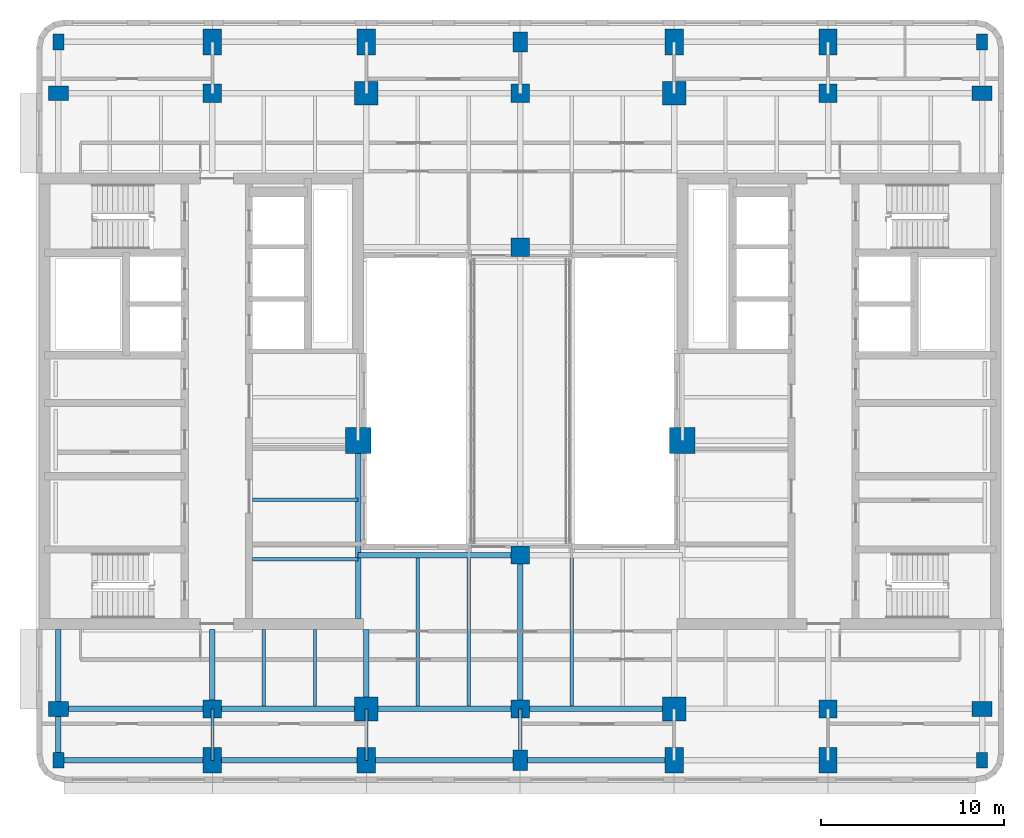
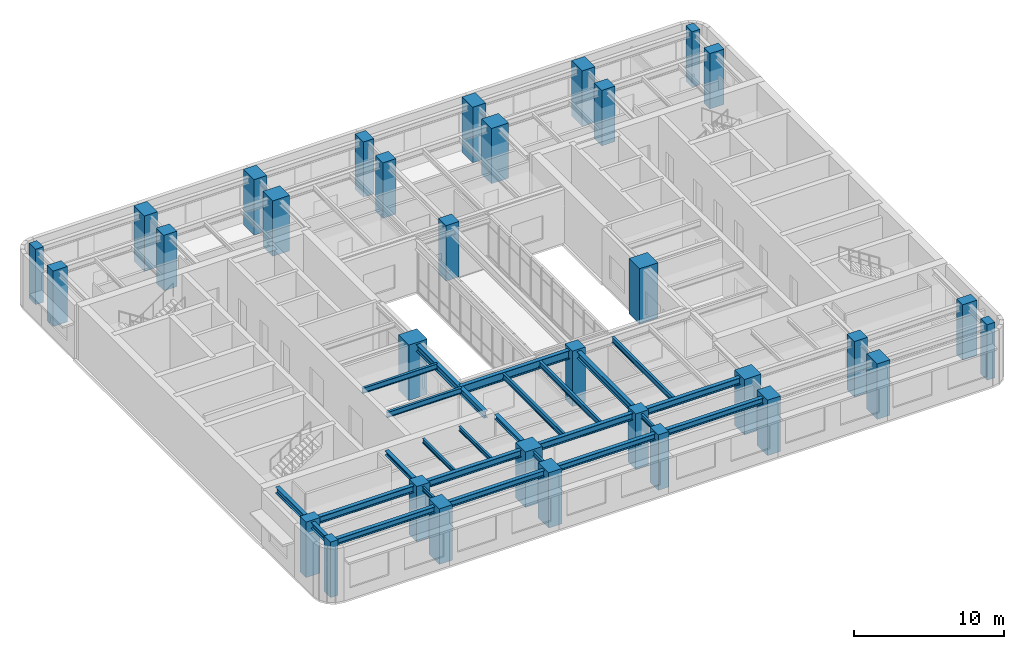
# One storey, part 1 of 14: 32 columns, 25 beams.
"""IFC4 building model written with IfcOpenShell, lengths in metres."""

from ifc_helpers import new_model, si_unit, direction, frame, origin, origin_2d, place, context, subcontext, project, spatial, rectangle, i_section, extrude, material, material_profile, profile_set, type_object, element, save


model = new_model("IFC4")

# Units and contexts
model_context = context("Model", 3, precision=1e-05, world=origin(), true_north=direction((0.0, 1.0)))
body_context = subcontext(model_context, "Body", "Model", "MODEL_VIEW")
ifc_project = project(units=[si_unit("LENGTHUNIT", "METRE"), si_unit("AREAUNIT", "SQUARE_METRE"), si_unit("VOLUMEUNIT", "CUBIC_METRE"), si_unit("PLANEANGLEUNIT", "RADIAN"), si_unit("MASSUNIT", "GRAM", prefix="KILO")], contexts=[model_context])

# Site, building, storey
site_placement = place(None, origin())
site = spatial("IfcSite", under=ifc_project, at=site_placement, CompositionType="ELEMENT")
building_placement = place(site_placement, origin())
building = spatial("IfcBuilding", under=site, at=building_placement, Name="Claustro Exchange Tower", CompositionType="ELEMENT")
storey_placement = place(building_placement, frame((0.0, 0.0, 250.199951171875)))
storey = spatial("IfcBuildingStorey", under=building, at=storey_placement, Name="L57", CompositionType="ELEMENT", Elevation=250.199951171875)

# Columns
ifc_material_1 = material(Name="Concrete HA-70 (C70/85)", Category="concrete")
ifc_material_profile_1 = material_profile(ifc_material_1, rectangle(XDim=1.39990234375, YDim=1.39990234375, at=origin_2d()), Name="RC 1400x1400")
ifc_profile_set_1 = profile_set([ifc_material_profile_1], Name="Concrete HA-70 (C70/85)")
column_type_1 = type_object("IfcColumnType", Name="C0 RC 1400x1400 HA-70 column", PredefinedType="COLUMN", material=ifc_profile_set_1)
for number, where, z_axis, x_axis, name in (
    (1, (16.35009765625, 23.050048828125, 0.0), (0.0, 0.0, 1.0), (1.0, 0.0, 0.0), "Column C0 2+7950/C+6250 L57"),
    (2, (34.050048828125, 23.050048828125, 0.0), (0.0, 0.0, 1.0), (1.0, 0.0, 0.0), "Column C0 5+450/C+6250 L57"),
):
    element("IfcColumn", number, at=place(storey_placement, frame(where, z_axis=z_axis, x_axis=x_axis)), inside=storey, type_object=column_type_1, Name=name, PredefinedType="COLUMN", context=body_context, shape_type="SweptSolid", body=[
        extrude(rectangle(XDim=1.39990234375, YDim=1.39990234375, at=origin_2d()), origin(), (0.0, 0.0, 1.0), 4.5),
    ])
ifc_material_2 = material(Name="Concrete HA-70 (C70/85)", Category="concrete")
ifc_material_profile_2 = material_profile(ifc_material_2, rectangle(XDim=1.0, YDim=1.0, at=origin_2d()), Name="RC 1000x1000")
ifc_profile_set_2 = profile_set([ifc_material_profile_2], Name="Concrete HA-70 (C70/85)")
column_type_2 = type_object("IfcColumnType", Name="C2 RC 1000x1000 HA-70 column", PredefinedType="COLUMN", material=ifc_profile_set_2)
for number, where, z_axis, x_axis, name in (
    (3, (8.39990234375, 8.39990234375, 0.0), (0.0, 0.0, 1.0), (1.0, 0.0, 0.0), "Column C2 2/B L57"),
    (4, (8.39990234375, 42.0, 0.0), (0.0, 0.0, 1.0), (1.0, 0.0, 0.0), "Column C2 2/F L57"),
    (5, (25.199951171875, 8.39990234375, 0.0), (0.0, 0.0, 1.0), (1.0, 0.0, 0.0), "Column C2 4/B L57"),
    (6, (25.199951171875, 42.0, 0.0), (0.0, 0.0, 1.0), (1.0, 0.0, 0.0), "Column C2 4/F L57"),
    (7, (25.199951171875, 16.800048828125, 0.0), (0.0, 0.0, 1.0), (1.0, 0.0, 0.0), "Column C2 4/C L57"),
    (8, (25.199951171875, 33.60009765625, 0.0), (0.0, 0.0, 1.0), (1.0, 0.0, 0.0), "Column C2 4/E L57"),
    (9, (42.0, 8.39990234375, 0.0), (0.0, 0.0, 1.0), (1.0, 0.0, 0.0), "Column C2 6/B L57"),
    (10, (42.0, 42.0, 0.0), (0.0, 0.0, 1.0), (1.0, 0.0, 0.0), "Column C2 6/F L57"),
):
    element("IfcColumn", number, at=place(storey_placement, frame(where, z_axis=z_axis, x_axis=x_axis)), inside=storey, type_object=column_type_2, Name=name, PredefinedType="COLUMN", context=body_context, shape_type="SweptSolid", body=[
        extrude(rectangle(XDim=1.0, YDim=1.0, at=origin_2d()), origin(), (0.0, 0.0, 1.0), 4.5),
    ])
ifc_material_3 = material(Name="Concrete HA-70 (C70/85)", Category="concrete")
ifc_material_profile_3 = material_profile(ifc_material_3, rectangle(XDim=1.0, YDim=1.39990234375, at=origin_2d()), Name="RC 1000x1400")
ifc_profile_set_3 = profile_set([ifc_material_profile_3], Name="Concrete HA-70 (C70/85)")
column_type_3 = type_object("IfcColumnType", Name="C22 RC 1000x1400 HA-70 perimeter column", PredefinedType="COLUMN", material=ifc_profile_set_3)
for number, where, z_axis, x_axis, name in (
    (11, (8.39990234375, 5.60009765625, 0.0), (0.0, 0.0, 1.0), (1.0, 0.0, 0.0), "Column C22 2/A+5600 L57"),
    (12, (8.39990234375, 44.800048828125, 0.0), (0.0, 0.0, 1.0), (1.0, 0.0, 0.0), "Column C22 2/F+2800 L57"),
    (13, (16.800048828125, 5.60009765625, 0.0), (0.0, 0.0, 1.0), (1.0, 0.0, 0.0), "Column C22 3/A+5600 L57"),
    (14, (16.800048828125, 44.800048828125, 0.0), (0.0, 0.0, 1.0), (1.0, 0.0, 0.0), "Column C22 3/F+2800 L57"),
    (15, (33.60009765625, 5.60009765625, 0.0), (0.0, 0.0, 1.0), (1.0, 0.0, 0.0), "Column C22 5/A+5600 L57"),
    (16, (33.60009765625, 44.800048828125, 0.0), (0.0, 0.0, 1.0), (1.0, 0.0, 0.0), "Column C22 5/F+2800 L57"),
    (17, (42.0, 5.60009765625, 0.0), (0.0, 0.0, 1.0), (1.0, 0.0, 0.0), "Column C22 6/A+5600 L57"),
    (18, (42.0, 44.800048828125, 0.0), (0.0, 0.0, 1.0), (1.0, 0.0, 0.0), "Column C22 6/F+2800 L57"),
):
    element("IfcColumn", number, at=place(storey_placement, frame(where, z_axis=z_axis, x_axis=x_axis)), inside=storey, type_object=column_type_3, Name=name, PredefinedType="COLUMN", context=body_context, shape_type="SweptSolid", body=[
        extrude(rectangle(XDim=1.0, YDim=1.39990234375, at=origin_2d()), origin(), (0.0, 0.0, 1.0), 4.5),
    ])
ifc_material_4 = material(Name="Concrete HA-50 (C50/60)", Category="concrete")
ifc_material_profile_4 = material_profile(ifc_material_4, rectangle(XDim=0.800048828125, YDim=1.10009765625, at=origin_2d()), Name="RC 800x1100")
ifc_profile_set_4 = profile_set([ifc_material_profile_4], Name="Concrete HA-50 (C50/60)")
column_type_4 = type_object("IfcColumnType", Name="C23 RC 800x1100 HA-50 perimeter column", PredefinedType="COLUMN", material=ifc_profile_set_4)
for number, where, z_axis, x_axis, name in (
    (19, (0.0, 8.39990234375, 0.0), (0.0, 0.0, 1.0), (0.0, 1.0, 0.0), "Column C23 1/B L57"),
    (20, (0.0, 42.0, 0.0), (0.0, 0.0, 1.0), (0.0, 1.0, 0.0), "Column C23 1/F L57"),
    (21, (25.199951171875, 5.60009765625, 0.0), (0.0, 0.0, 1.0), (1.0, 0.0, 0.0), "Column C23 4/A+5600 L57"),
    (22, (25.199951171875, 44.800048828125, 0.0), (0.0, 0.0, 1.0), (1.0, 0.0, 0.0), "Column C23 4/F+2800 L57"),
    (23, (50.39990234375, 8.39990234375, 0.0), (0.0, 0.0, 1.0), (0.0, 1.0, 0.0), "Column C23 7/B L57"),
    (24, (50.39990234375, 42.0, 0.0), (0.0, 0.0, 1.0), (0.0, 1.0, 0.0), "Column C23 7/F L57"),
):
    element("IfcColumn", number, at=place(storey_placement, frame(where, z_axis=z_axis, x_axis=x_axis)), inside=storey, type_object=column_type_4, Name=name, PredefinedType="COLUMN", context=body_context, shape_type="SweptSolid", body=[
        extrude(rectangle(XDim=0.800048828125, YDim=1.10009765625, at=origin_2d()), origin(), (0.0, 0.0, 1.0), 4.5),
    ])
ifc_material_5 = material(Name="Concrete HA-50 (C50/60)", Category="concrete")
ifc_material_profile_5 = material_profile(ifc_material_5, rectangle(XDim=0.60009765625, YDim=0.85009765625, at=origin_2d()), Name="RC 600x850")
ifc_profile_set_5 = profile_set([ifc_material_profile_5], Name="Concrete HA-50 (C50/60)")
column_type_5 = type_object("IfcColumnType", Name="C25 RC 600x850 HA-50 corner column", PredefinedType="COLUMN", material=ifc_profile_set_5)
for number, where, z_axis, x_axis, name in (
    (25, (0.0, 5.60009765625, 0.0), (0.0, 0.0, 1.0), (1.0, 0.0, 0.0), "Column C25 1/A+5600 L57"),
    (26, (0.0, 44.800048828125, 0.0), (0.0, 0.0, 1.0), (1.0, 0.0, 0.0), "Column C25 1/F+2800 L57"),
    (27, (50.39990234375, 5.60009765625, 0.0), (0.0, 0.0, 1.0), (1.0, 0.0, 0.0), "Column C25 7/A+5600 L57"),
    (28, (50.39990234375, 44.800048828125, 0.0), (0.0, 0.0, 1.0), (1.0, 0.0, 0.0), "Column C25 7/F+2800 L57"),
):
    element("IfcColumn", number, at=place(storey_placement, frame(where, z_axis=z_axis, x_axis=x_axis)), inside=storey, type_object=column_type_5, Name=name, PredefinedType="COLUMN", context=body_context, shape_type="SweptSolid", body=[
        extrude(rectangle(XDim=0.60009765625, YDim=0.85009765625, at=origin_2d()), origin(), (0.0, 0.0, 1.0), 4.5),
    ])
ifc_material_6 = material(Name="Concrete HA-70 (C70/85)", Category="concrete")
ifc_material_profile_6 = material_profile(ifc_material_6, rectangle(XDim=1.300048828125, YDim=1.300048828125, at=origin_2d()), Name="RC 1300x1300")
ifc_profile_set_6 = profile_set([ifc_material_profile_6], Name="Concrete HA-70 (C70/85)")
column_type_6 = type_object("IfcColumnType", Name="C42 RC 1300x1300 HA-70 column", PredefinedType="COLUMN", material=ifc_profile_set_6)
for number, where, z_axis, x_axis, name in (
    (29, (16.800048828125, 8.39990234375, 0.0), (0.0, 0.0, 1.0), (1.0, 0.0, 0.0), "Column C42 3/B L57"),
    (30, (16.800048828125, 42.0, 0.0), (0.0, 0.0, 1.0), (1.0, 0.0, 0.0), "Column C42 3/F L57"),
    (31, (33.60009765625, 8.39990234375, 0.0), (0.0, 0.0, 1.0), (1.0, 0.0, 0.0), "Column C42 5/B L57"),
    (32, (33.60009765625, 42.0, 0.0), (0.0, 0.0, 1.0), (1.0, 0.0, 0.0), "Column C42 5/F L57"),
):
    element("IfcColumn", number, at=place(storey_placement, frame(where, z_axis=z_axis, x_axis=x_axis)), inside=storey, type_object=column_type_6, Name=name, PredefinedType="COLUMN", context=body_context, shape_type="SweptSolid", body=[
        extrude(rectangle(XDim=1.300048828125, YDim=1.300048828125, at=origin_2d()), origin(), (0.0, 0.0, 1.0), 4.5),
    ])

# Beams
ifc_material_7 = material(Name="Steel S355", Category="steel")
ifc_material_profile_7 = material_profile(ifc_material_7, i_section(OverallWidth=0.300048828125, OverallDepth=0.68994140625, WebThickness=0.014404296875, FlangeThickness=0.027099609375, FilletRadius=0.027099609375, at=origin_2d()), Name="HE 700 A")
ifc_profile_set_7 = profile_set([ifc_material_profile_7], Name="Steel S355")
beam_type_1 = type_object("IfcBeamType", Name="B13 HE 700 A light well edge girder", PredefinedType="BEAM", material=ifc_profile_set_7)
beam_1_placement = place(storey_placement, frame((16.35009765625, 16.800048828125, 4.005126953125), z_axis=(1.0, 0.0, 0.0), x_axis=(0.0, 1.0, 0.0)))
element("IfcBeam", 33, at=beam_1_placement, inside=storey, type_object=beam_type_1, Name="Beam B13 L58", PredefinedType="BEAM", context=body_context, shape_type="SweptSolid", body=[
    extrude(i_section(OverallWidth=0.300048828125, OverallDepth=0.68994140625, WebThickness=0.014404296875, FlangeThickness=0.027099609375, FilletRadius=0.027099609375, at=origin_2d()), origin(), (0.0, 0.0, 1.0), 8.849853515625),
])
ifc_material_8 = material(Name="Steel S355", Category="steel")
ifc_material_profile_8 = material_profile(ifc_material_8, i_section(OverallWidth=0.169921875, OverallDepth=0.360107421875, WebThickness=0.008056640625, FlangeThickness=0.0126953125, FilletRadius=0.01806640625, at=origin_2d()), Name="IPE 360")
ifc_profile_set_8 = profile_set([ifc_material_profile_8], Name="Steel S355")
beam_type_2 = type_object("IfcBeamType", Name="B16 IPE 360 short-span beam", PredefinedType="BEAM", material=ifc_profile_set_8)
for number, where, z_axis, x_axis, name in (
    (34, (8.39990234375, 5.60009765625, 4.170166015625), (0.0, 1.0, 0.0), (-1.0, 0.0, 0.0), "Beam B16 L58"),
    (35, (16.800048828125, 5.60009765625, 4.170166015625), (0.0, 1.0, 0.0), (-1.0, 0.0, 0.0), "Beam B16 L58"),
    (36, (25.199951171875, 5.60009765625, 4.170166015625), (0.0, 1.0, 0.0), (-1.0, 0.0, 0.0), "Beam B16 L58"),
):
    element("IfcBeam", number, at=place(storey_placement, frame(where, z_axis=z_axis, x_axis=x_axis)), inside=storey, type_object=beam_type_2, Name=name, PredefinedType="BEAM", context=body_context, shape_type="SweptSolid", body=[
        extrude(i_section(OverallWidth=0.169921875, OverallDepth=0.360107421875, WebThickness=0.008056640625, FlangeThickness=0.0126953125, FilletRadius=0.01806640625, at=origin_2d()), origin(), (0.0, 0.0, 1.0), 2.7998046875),
    ])
for number, where, z_axis, x_axis, name in (
    (37, (11.199951171875, 8.550048828125, 4.170166015625), (0.0, 1.0, 0.0), (-1.0, 0.0, 0.0), "Beam B16 L58"),
    (38, (14.0, 8.550048828125, 4.170166015625), (0.0, 1.0, 0.0), (-1.0, 0.0, 0.0), "Beam B16 L58"),
):
    element("IfcBeam", number, at=place(storey_placement, frame(where, z_axis=z_axis, x_axis=x_axis)), inside=storey, type_object=beam_type_2, Name=name, PredefinedType="BEAM", context=body_context, shape_type="SweptSolid", body=[
        extrude(i_section(OverallWidth=0.169921875, OverallDepth=0.360107421875, WebThickness=0.008056640625, FlangeThickness=0.0126953125, FilletRadius=0.01806640625, at=origin_2d()), origin(), (0.0, 0.0, 1.0), 4.199951171875),
    ])
ifc_material_9 = material(Name="Steel S355", Category="steel")
ifc_material_profile_9 = material_profile(ifc_material_9, i_section(OverallWidth=0.300048828125, OverallDepth=0.550048828125, WebThickness=0.014892578125, FlangeThickness=0.029052734375, FilletRadius=0.027099609375, at=origin_2d()), Name="HE 550 B")
ifc_profile_set_9 = profile_set([ifc_material_profile_9], Name="Steel S355")
beam_type_3 = type_object("IfcBeamType", Name="B17 HE 550 B floor girder", PredefinedType="BEAM", material=ifc_profile_set_9)
beam_2_placement = place(storey_placement, frame((25.199951171875, 8.39990234375, 4.074951171875), z_axis=(0.0, 1.0, 0.0), x_axis=(-1.0, 0.0, 0.0)))
element("IfcBeam", 39, at=beam_2_placement, inside=storey, type_object=beam_type_3, Name="Beam B17 L58", PredefinedType="BEAM", context=body_context, shape_type="SweptSolid", body=[
    extrude(i_section(OverallWidth=0.300048828125, OverallDepth=0.550048828125, WebThickness=0.014892578125, FlangeThickness=0.029052734375, FilletRadius=0.027099609375, at=origin_2d()), origin(), (0.0, 0.0, 1.0), 8.400146484375),
])
beam_3_placement = place(storey_placement, frame((0.0, 8.39990234375, 4.074951171875), z_axis=(1.0, 0.0, 0.0), x_axis=(0.0, 1.0, 0.0)))
element("IfcBeam", 40, at=beam_3_placement, inside=storey, type_object=beam_type_3, Name="Beam B17 L58", PredefinedType="BEAM", context=body_context, shape_type="SweptSolid", body=[
    extrude(i_section(OverallWidth=0.300048828125, OverallDepth=0.550048828125, WebThickness=0.014892578125, FlangeThickness=0.029052734375, FilletRadius=0.027099609375, at=origin_2d()), origin(), (0.0, 0.0, 1.0), 8.39990234375),
])
beam_4_placement = place(storey_placement, frame((8.39990234375, 8.39990234375, 4.074951171875), z_axis=(1.0, 0.0, 0.0), x_axis=(0.0, 1.0, 0.0)))
element("IfcBeam", 41, at=beam_4_placement, inside=storey, type_object=beam_type_3, Name="Beam B17 L58", PredefinedType="BEAM", context=body_context, shape_type="SweptSolid", body=[
    extrude(i_section(OverallWidth=0.300048828125, OverallDepth=0.550048828125, WebThickness=0.014892578125, FlangeThickness=0.029052734375, FilletRadius=0.027099609375, at=origin_2d()), origin(), (0.0, 0.0, 1.0), 8.400146484375),
])
beam_5_placement = place(storey_placement, frame((16.800048828125, 8.39990234375, 4.074951171875), z_axis=(1.0, 0.0, 0.0), x_axis=(0.0, 1.0, 0.0)))
element("IfcBeam", 42, at=beam_5_placement, inside=storey, type_object=beam_type_3, Name="Beam B17 L58", PredefinedType="BEAM", context=body_context, shape_type="SweptSolid", body=[
    extrude(i_section(OverallWidth=0.300048828125, OverallDepth=0.550048828125, WebThickness=0.014892578125, FlangeThickness=0.029052734375, FilletRadius=0.027099609375, at=origin_2d()), origin(), (0.0, 0.0, 1.0), 8.39990234375),
])
beam_6_placement = place(storey_placement, frame((25.199951171875, 8.39990234375, 4.074951171875), z_axis=(1.0, 0.0, 0.0), x_axis=(0.0, 1.0, 0.0)))
element("IfcBeam", 43, at=beam_6_placement, inside=storey, type_object=beam_type_3, Name="Beam B17 L58", PredefinedType="BEAM", context=body_context, shape_type="SweptSolid", body=[
    extrude(i_section(OverallWidth=0.300048828125, OverallDepth=0.550048828125, WebThickness=0.014892578125, FlangeThickness=0.029052734375, FilletRadius=0.027099609375, at=origin_2d()), origin(), (0.0, 0.0, 1.0), 8.400146484375),
])
beam_7_placement = place(storey_placement, frame((16.35009765625, 13.35009765625, 4.074951171875), z_axis=(0.0, 1.0, 0.0), x_axis=(-1.0, 0.0, 0.0)))
element("IfcBeam", 44, at=beam_7_placement, inside=storey, type_object=beam_type_3, Name="Beam B17 core step framing L58", PredefinedType="BEAM", context=body_context, shape_type="SweptSolid", body=[
    extrude(i_section(OverallWidth=0.300048828125, OverallDepth=0.550048828125, WebThickness=0.014892578125, FlangeThickness=0.029052734375, FilletRadius=0.027099609375, at=origin_2d()), origin(), (0.0, 0.0, 1.0), 9.699951171875),
])
ifc_material_10 = material(Name="Steel S355", Category="steel")
ifc_material_profile_10 = material_profile(ifc_material_10, i_section(OverallWidth=0.300048828125, OverallDepth=0.360107421875, WebThickness=0.012451171875, FlangeThickness=0.0224609375, FilletRadius=0.027099609375, at=origin_2d()), Name="HE 360 B")
ifc_profile_set_10 = profile_set([ifc_material_profile_10], Name="Steel S355")
beam_type_4 = type_object("IfcBeamType", Name="B29 HE 360 B column to core link beam", PredefinedType="BEAM", material=ifc_profile_set_10)
for number, where, z_axis, x_axis, name in (
    (45, (8.39990234375, 8.39990234375, 4.170166015625), (0.0, 1.0, 0.0), (-1.0, 0.0, 0.0), "Beam B29 L58"),
    (46, (16.800048828125, 8.39990234375, 4.170166015625), (0.0, 1.0, 0.0), (-1.0, 0.0, 0.0), "Beam B29 L58"),
):
    element("IfcBeam", number, at=place(storey_placement, frame(where, z_axis=z_axis, x_axis=x_axis)), inside=storey, type_object=beam_type_4, Name=name, PredefinedType="BEAM", context=body_context, shape_type="SweptSolid", body=[
        extrude(i_section(OverallWidth=0.300048828125, OverallDepth=0.360107421875, WebThickness=0.012451171875, FlangeThickness=0.0224609375, FilletRadius=0.027099609375, at=origin_2d()), origin(), (0.0, 0.0, 1.0), 4.35009765625),
    ])
ifc_material_11 = material(Name="Steel S355", Category="steel")
ifc_material_profile_11 = material_profile(ifc_material_11, i_section(OverallWidth=0.18994140625, OverallDepth=0.449951171875, WebThickness=0.009521484375, FlangeThickness=0.0146484375, FilletRadius=0.02099609375, at=origin_2d()), Name="IPE 450")
ifc_profile_set_11 = profile_set([ifc_material_profile_11], Name="Steel S355")
beam_type_5 = type_object("IfcBeamType", Name="B8 IPE 450 secondary beam", PredefinedType="BEAM", material=ifc_profile_set_11)
for number, where, z_axis, x_axis, name in (
    (47, (19.60009765625, 8.550048828125, 4.125), (0.0, 1.0, 0.0), (-1.0, 0.0, 0.0), "Beam B8 L58"),
    (48, (22.39990234375, 8.550048828125, 4.125), (0.0, 1.0, 0.0), (-1.0, 0.0, 0.0), "Beam B8 L58"),
    (49, (28.0, 8.550048828125, 4.125), (0.0, 1.0, 0.0), (-1.0, 0.0, 0.0), "Beam B8 L58"),
):
    element("IfcBeam", number, at=place(storey_placement, frame(where, z_axis=z_axis, x_axis=x_axis)), inside=storey, type_object=beam_type_5, Name=name, PredefinedType="BEAM", context=body_context, shape_type="SweptSolid", body=[
        extrude(i_section(OverallWidth=0.18994140625, OverallDepth=0.449951171875, WebThickness=0.009521484375, FlangeThickness=0.0146484375, FilletRadius=0.02099609375, at=origin_2d()), origin(), (0.0, 0.0, 1.0), 8.099853515625),
    ])
for number, where, z_axis, x_axis, name in (
    (50, (10.60009765625, 16.583251953125, 4.125), (1.0, 0.0, 0.0), (0.0, 1.0, 0.0), "Beam B8 core step framing L58"),
    (51, (10.60009765625, 19.816650390625, 4.125), (1.0, 0.0, 0.0), (0.0, 1.0, 0.0), "Beam B8 core step framing L58"),
):
    element("IfcBeam", number, at=place(storey_placement, frame(where, z_axis=z_axis, x_axis=x_axis)), inside=storey, type_object=beam_type_5, Name=name, PredefinedType="BEAM", context=body_context, shape_type="SweptSolid", body=[
        extrude(i_section(OverallWidth=0.18994140625, OverallDepth=0.449951171875, WebThickness=0.009521484375, FlangeThickness=0.0146484375, FilletRadius=0.02099609375, at=origin_2d()), origin(), (0.0, 0.0, 1.0), 5.75),
    ])
ifc_material_12 = material(Name="Steel S355", Category="steel")
ifc_material_profile_12 = material_profile(ifc_material_12, i_section(OverallWidth=0.300048828125, OverallDepth=0.489990234375, WebThickness=0.011962890625, FlangeThickness=0.02294921875, FilletRadius=0.027099609375, at=origin_2d()), Name="HE 500 A")
ifc_profile_set_12 = profile_set([ifc_material_profile_12], Name="Steel S355")
beam_type_6 = type_object("IfcBeamType", Name="B9 HE 500 A spandrel edge girder", PredefinedType="SPANDREL", material=ifc_profile_set_12)
beam_8_placement = place(storey_placement, frame((0.0, 5.60009765625, 4.10498046875), z_axis=(0.0, 1.0, 0.0), x_axis=(-1.0, 0.0, 0.0)))
element("IfcBeam", 52, at=beam_8_placement, inside=storey, type_object=beam_type_6, Name="Beam B9 L58", PredefinedType="SPANDREL", context=body_context, shape_type="SweptSolid", body=[
    extrude(i_section(OverallWidth=0.300048828125, OverallDepth=0.489990234375, WebThickness=0.011962890625, FlangeThickness=0.02294921875, FilletRadius=0.027099609375, at=origin_2d()), origin(), (0.0, 0.0, 1.0), 2.7998046875),
])
beam_9_placement = place(storey_placement, frame((0.0, 8.39990234375, 4.10498046875), z_axis=(0.0, 1.0, 0.0), x_axis=(-1.0, 0.0, 0.0)))
element("IfcBeam", 53, at=beam_9_placement, inside=storey, type_object=beam_type_6, Name="Beam B9 L58", PredefinedType="SPANDREL", context=body_context, shape_type="SweptSolid", body=[
    extrude(i_section(OverallWidth=0.300048828125, OverallDepth=0.489990234375, WebThickness=0.011962890625, FlangeThickness=0.02294921875, FilletRadius=0.027099609375, at=origin_2d()), origin(), (0.0, 0.0, 1.0), 4.35009765625),
])
beam_10_placement = place(storey_placement, frame((0.0, 5.60009765625, 4.10498046875), z_axis=(1.0, 0.0, 0.0), x_axis=(0.0, 1.0, 0.0)))
element("IfcBeam", 54, at=beam_10_placement, inside=storey, type_object=beam_type_6, Name="Beam B9 L58", PredefinedType="SPANDREL", context=body_context, shape_type="SweptSolid", body=[
    extrude(i_section(OverallWidth=0.300048828125, OverallDepth=0.489990234375, WebThickness=0.011962890625, FlangeThickness=0.02294921875, FilletRadius=0.027099609375, at=origin_2d()), origin(), (0.0, 0.0, 1.0), 8.39990234375),
])
beam_11_placement = place(storey_placement, frame((8.39990234375, 5.60009765625, 4.10498046875), z_axis=(1.0, 0.0, 0.0), x_axis=(0.0, 1.0, 0.0)))
element("IfcBeam", 55, at=beam_11_placement, inside=storey, type_object=beam_type_6, Name="Beam B9 L58", PredefinedType="SPANDREL", context=body_context, shape_type="SweptSolid", body=[
    extrude(i_section(OverallWidth=0.300048828125, OverallDepth=0.489990234375, WebThickness=0.011962890625, FlangeThickness=0.02294921875, FilletRadius=0.027099609375, at=origin_2d()), origin(), (0.0, 0.0, 1.0), 8.400146484375),
])
beam_12_placement = place(storey_placement, frame((16.800048828125, 5.60009765625, 4.10498046875), z_axis=(1.0, 0.0, 0.0), x_axis=(0.0, 1.0, 0.0)))
element("IfcBeam", 56, at=beam_12_placement, inside=storey, type_object=beam_type_6, Name="Beam B9 L58", PredefinedType="SPANDREL", context=body_context, shape_type="SweptSolid", body=[
    extrude(i_section(OverallWidth=0.300048828125, OverallDepth=0.489990234375, WebThickness=0.011962890625, FlangeThickness=0.02294921875, FilletRadius=0.027099609375, at=origin_2d()), origin(), (0.0, 0.0, 1.0), 8.39990234375),
])
beam_13_placement = place(storey_placement, frame((25.199951171875, 5.60009765625, 4.10498046875), z_axis=(1.0, 0.0, 0.0), x_axis=(0.0, 1.0, 0.0)))
element("IfcBeam", 57, at=beam_13_placement, inside=storey, type_object=beam_type_6, Name="Beam B9 L58", PredefinedType="SPANDREL", context=body_context, shape_type="SweptSolid", body=[
    extrude(i_section(OverallWidth=0.300048828125, OverallDepth=0.489990234375, WebThickness=0.011962890625, FlangeThickness=0.02294921875, FilletRadius=0.027099609375, at=origin_2d()), origin(), (0.0, 0.0, 1.0), 8.400146484375),
])

save(model, "model.ifc")
